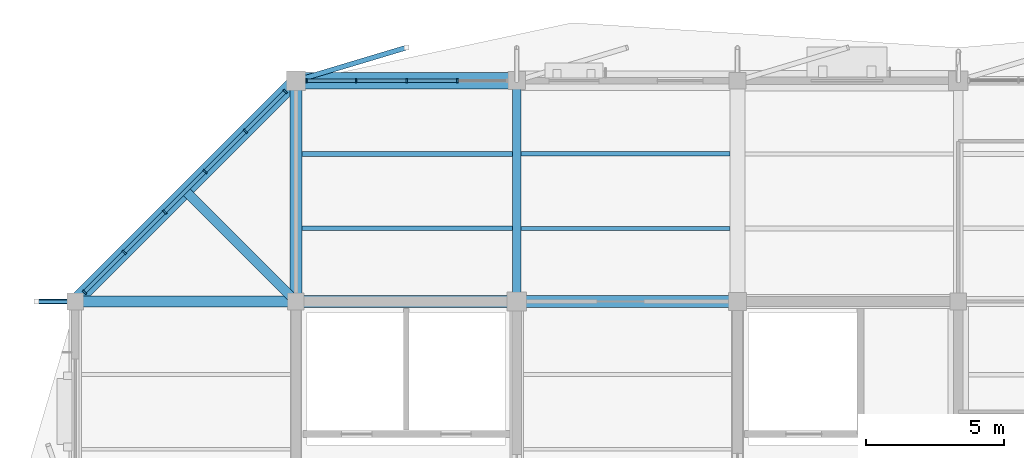
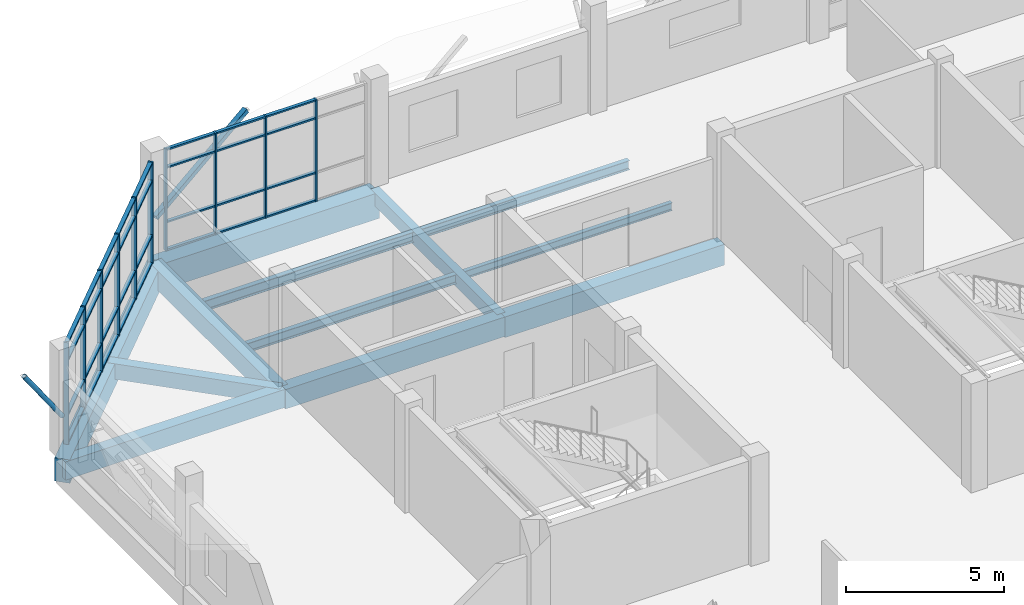
# One storey, part 31 of 84: 44 members, 12 beams, 2 elements without a shape of their own.
"""IFC4 building model written with IfcOpenShell, lengths in metres."""

from ifc_helpers import new_model, si_unit, direction, frame, origin, origin_2d, place, context, subcontext, project, spatial, rectangle, hollow_rectangle, hollow_circle, i_section, extrude, material, material_profile, profile_set, type_object, element, aggregate, save


model = new_model("IFC4")

# Units and contexts
model_context = context("Model", 3, precision=1e-05, world=origin(), true_north=direction((0.0, 1.0)))
body_context = subcontext(model_context, "Body", "Model", "MODEL_VIEW")
ifc_project = project(units=[si_unit("LENGTHUNIT", "METRE"), si_unit("AREAUNIT", "SQUARE_METRE"), si_unit("VOLUMEUNIT", "CUBIC_METRE"), si_unit("PLANEANGLEUNIT", "RADIAN"), si_unit("MASSUNIT", "GRAM", prefix="KILO")], contexts=[model_context])

# Site, building, storey
site_placement = place(None, origin())
site = spatial("IfcSite", under=ifc_project, at=site_placement, CompositionType="ELEMENT")
building_placement = place(site_placement, origin())
building = spatial("IfcBuilding", under=site, at=building_placement, Name="Tenunan Teduh Sports Hall", CompositionType="ELEMENT")
storey_placement = place(building_placement, frame((0.0, 0.0, 10.800048828125)))
storey = spatial("IfcBuildingStorey", under=building, at=storey_placement, Name="L02", CompositionType="ELEMENT", Elevation=10.800048828125)

# Beams
ifc_material_1 = material(Name="Concrete C40/50", Category="concrete")
ifc_material_profile_1 = material_profile(ifc_material_1, rectangle(XDim=0.300048828125, YDim=0.5, at=origin_2d()), Name="RCB 300x500")
ifc_profile_set_1 = profile_set([ifc_material_profile_1], Name="Concrete C40/50")
beam_type_1 = type_object("IfcBeamType", Name="BM-RC-300x500", PredefinedType="BEAM", material=ifc_profile_set_1)
beam_1_placement = place(storey_placement, frame((22.0, 110.0, -0.510009765625), z_axis=(0.0, 1.0, 0.0), x_axis=(-1.0, 0.0, 0.0)))
element("IfcBeam", 1, at=beam_1_placement, inside=storey, type_object=beam_type_1, Name="BM-B-01-L02-1592", PredefinedType="BEAM", context=body_context, shape_type="SweptSolid", body=[
    extrude(rectangle(XDim=0.300048828125, YDim=0.5, at=origin_2d()), origin(), (0.0, 0.0, 1.0), 8.0),
])
ifc_material_2 = material(Name="Concrete C40/50", Category="concrete")
ifc_material_profile_2 = material_profile(ifc_material_2, rectangle(XDim=0.35009765625, YDim=0.60009765625, at=origin_2d()), Name="RCB 350x600")
ifc_profile_set_2 = profile_set([ifc_material_profile_2], Name="Concrete C40/50")
beam_type_2 = type_object("IfcBeamType", Name="BM-RC-350x600", PredefinedType="BEAM", material=ifc_profile_set_2)
beam_2_placement = place(storey_placement, frame((14.0, 110.0, -0.56005859375), z_axis=(-0.707106781187, 0.707106781187, 0.0), x_axis=(-0.707106781187, -0.707106781187, 0.0)))
element("IfcBeam", 2, at=beam_2_placement, inside=storey, type_object=beam_type_2, Name="BM-B-04-L02-2224", PredefinedType="BEAM", context=body_context, shape_type="SweptSolid", body=[
    extrude(rectangle(XDim=0.35009765625, YDim=0.60009765625, at=origin_2d()), origin(), (0.0, 0.0, 1.0), 5.65673828125),
])
ifc_material_3 = material(Name="Concrete C40/50", Category="concrete")
ifc_material_profile_3 = material_profile(ifc_material_3, rectangle(XDim=0.39990234375, YDim=0.699951171875, at=origin_2d()), Name="RCB 400x700")
ifc_profile_set_3 = profile_set([ifc_material_profile_3], Name="Concrete C40/50")
beam_type_3 = type_object("IfcBeamType", Name="BM-RC-400x700", PredefinedType="BEAM", material=ifc_profile_set_3)
beam_3_placement = place(storey_placement, frame((6.0, 110.0, -0.610107421875), z_axis=(1.0, 0.0, 0.0), x_axis=(0.0, 1.0, 0.0)))
element("IfcBeam", 3, at=beam_3_placement, inside=storey, type_object=beam_type_3, Name="BM-B-08-L02-1541", PredefinedType="BEAM", context=body_context, shape_type="SweptSolid", body=[
    extrude(rectangle(XDim=0.39990234375, YDim=0.699951171875, at=origin_2d()), origin(), (0.0, 0.0, 1.0), 8.0),
])
ifc_material_4 = material(Name="Concrete C40/50", Category="concrete")
ifc_material_profile_4 = material_profile(ifc_material_4, rectangle(XDim=0.449951171875, YDim=0.75, at=origin_2d()), Name="RCB 450x750")
ifc_profile_set_4 = profile_set([ifc_material_profile_4], Name="Concrete C40/50")
beam_type_4 = type_object("IfcBeamType", Name="BM-RC-450x750", PredefinedType="BEAM", material=ifc_profile_set_4)
for number, where, z_axis, x_axis, name in (
    (4, (14.0, 110.0, -0.635009765625), (1.0, 0.0, 0.0), (0.0, 1.0, 0.0), "BM-B-11-L02-1542"),
    (5, (14.0, 110.0, -0.635009765625), (0.0, 1.0, 0.0), (-1.0, 0.0, 0.0), "BM-B-11-L02-1583"),
):
    element("IfcBeam", number, at=place(storey_placement, frame(where, z_axis=z_axis, x_axis=x_axis)), inside=storey, type_object=beam_type_4, Name=name, PredefinedType="BEAM", context=body_context, shape_type="SweptSolid", body=[
        extrude(rectangle(XDim=0.449951171875, YDim=0.75, at=origin_2d()), origin(), (0.0, 0.0, 1.0), 8.0),
    ])
ifc_material_5 = material(Name="Concrete C40/50", Category="concrete")
ifc_material_profile_5 = material_profile(ifc_material_5, rectangle(XDim=0.449951171875, YDim=0.800048828125, at=origin_2d()), Name="RCB 450x800")
ifc_profile_set_5 = profile_set([ifc_material_profile_5], Name="Concrete C40/50")
beam_type_5 = type_object("IfcBeamType", Name="BM-RC-450x800", PredefinedType="BEAM", material=ifc_profile_set_5)
beam_4_placement = place(storey_placement, frame((22.0, 110.0, -0.66015625), z_axis=(1.0, 0.0, 0.0), x_axis=(0.0, 1.0, 0.0)))
element("IfcBeam", 6, at=beam_4_placement, inside=storey, type_object=beam_type_5, Name="BM-B-12-L02-1543", PredefinedType="BEAM", context=body_context, shape_type="SweptSolid", body=[
    extrude(rectangle(XDim=0.449951171875, YDim=0.800048828125, at=origin_2d()), origin(), (0.0, 0.0, 1.0), 8.0),
])
ifc_material_6 = material(Name="Concrete C40/50", Category="concrete")
ifc_material_profile_6 = material_profile(ifc_material_6, rectangle(XDim=0.5, YDim=0.89990234375, at=origin_2d()), Name="RCB 500x900")
ifc_profile_set_6 = profile_set([ifc_material_profile_6], Name="Concrete C40/50")
beam_type_6 = type_object("IfcBeamType", Name="BM-RC-500x900", PredefinedType="BEAM", material=ifc_profile_set_6)
beam_5_placement = place(storey_placement, frame((6.0, 110.0, -0.7099609375), z_axis=(0.707106781187, 0.707106781187, 0.0), x_axis=(-0.707106781187, 0.707106781187, 0.0)))
element("IfcBeam", 7, at=beam_5_placement, inside=storey, type_object=beam_type_6, Name="BM-B-15-L02-0589", PredefinedType="BEAM", context=body_context, shape_type="SweptSolid", body=[
    extrude(rectangle(XDim=0.5, YDim=0.89990234375, at=origin_2d()), origin(), (0.0, 0.0, 1.0), 11.313720703125),
])
ifc_material_7 = material(Name="Concrete C40/50", Category="concrete")
ifc_material_profile_7 = material_profile(ifc_material_7, rectangle(XDim=0.60009765625, YDim=1.0, at=origin_2d()), Name="RCB 600x1000")
ifc_profile_set_7 = profile_set([ifc_material_profile_7], Name="Concrete C40/50")
beam_type_7 = type_object("IfcBeamType", Name="BM-RC-600x1000", PredefinedType="BEAM", material=ifc_profile_set_7)
beam_6_placement = place(storey_placement, frame((14.0, 118.0, -0.760009765625), z_axis=(1.0, 0.0, 0.0), x_axis=(0.0, 1.0, 0.0)))
element("IfcBeam", 8, at=beam_6_placement, inside=storey, type_object=beam_type_7, Name="BM-B-18-L02-1558", PredefinedType="BEAM", context=body_context, shape_type="SweptSolid", body=[
    extrude(rectangle(XDim=0.60009765625, YDim=1.0, at=origin_2d()), origin(), (0.0, 0.0, 1.0), 8.0),
])

# Curtain wall, members
ifc_material_8 = material(Name="Anodised aluminium", Category="aluminium")
curtain_wall_type = type_object("IfcCurtainWallType", Name="CW-UNIT-2", PredefinedType="NOTDEFINED", material=ifc_material_8)
curtain_wall_1_placement = place(storey_placement, origin())
curtain_wall_1 = element("IfcCurtainWall", 9, at=curtain_wall_1_placement, inside=storey, type_object=curtain_wall_type, Name="CW-CWM-150-L02-215", PredefinedType="NOTDEFINED")
ifc_material_9 = material(Name="Anodised aluminium", Category="aluminium")
ifc_material_profile_8 = material_profile(ifc_material_9, rectangle(XDim=0.06005859375, YDim=0.14990234375, at=origin_2d()), Name="CWM 60x150")
ifc_profile_set_8 = profile_set([ifc_material_profile_8], Name="Anodised aluminium")
member_type_1 = type_object("IfcMemberType", Name="CWM-150", PredefinedType="MULLION", material=ifc_profile_set_8)
member_1_placement = place(storey_placement, frame((14.3798828125, 118.0, 0.0), z_axis=(0.0, 0.0, 1.0), x_axis=(1.0, 0.0, 0.0)))
member_1 = element("IfcMember", 10, at=member_1_placement, type_object=member_type_1, Name="CW-02 mullion 1", PredefinedType="MULLION", context=body_context, shape_type="SweptSolid", body=[
    extrude(rectangle(XDim=0.06005859375, YDim=0.14990234375, at=origin_2d()), origin(), (0.0, 0.0, 1.0), 3.919921875),
])
member_2_placement = place(storey_placement, frame((16.18115234375, 118.0, 0.0), z_axis=(0.0, 0.0, 1.0), x_axis=(1.0, 0.0, 0.0)))
member_2 = element("IfcMember", 11, at=member_2_placement, type_object=member_type_1, Name="CW-02 mullion 2", PredefinedType="MULLION", context=body_context, shape_type="SweptSolid", body=[
    extrude(rectangle(XDim=0.06005859375, YDim=0.14990234375, at=origin_2d()), origin(), (0.0, 0.0, 1.0), 3.919921875),
])
member_3_placement = place(storey_placement, frame((18.012451171875, 118.0, 0.0), z_axis=(0.0, 0.0, 1.0), x_axis=(1.0, 0.0, 0.0)))
member_3 = element("IfcMember", 12, at=member_3_placement, type_object=member_type_1, Name="CW-02 mullion 3", PredefinedType="MULLION", context=body_context, shape_type="SweptSolid", body=[
    extrude(rectangle(XDim=0.06005859375, YDim=0.14990234375, at=origin_2d()), origin(), (0.0, 0.0, 1.0), 3.919921875),
])
member_4_placement = place(storey_placement, frame((19.84375, 118.0, 0.0), z_axis=(0.0, 0.0, 1.0), x_axis=(1.0, 0.0, 0.0)))
member_4 = element("IfcMember", 13, at=member_4_placement, type_object=member_type_1, Name="CW-02 mullion 4", PredefinedType="MULLION", context=body_context, shape_type="SweptSolid", body=[
    extrude(rectangle(XDim=0.06005859375, YDim=0.14990234375, at=origin_2d()), origin(), (0.0, 0.0, 1.0), 3.919921875),
])

curtain_wall_2_placement = place(storey_placement, origin())
curtain_wall_2 = element("IfcCurtainWall", 14, at=curtain_wall_2_placement, inside=storey, type_object=curtain_wall_type, Name="CW-CWM-175-L02-218", PredefinedType="NOTDEFINED")
ifc_material_10 = material(Name="Anodised aluminium", Category="aluminium")
ifc_material_profile_9 = material_profile(ifc_material_10, rectangle(XDim=0.06494140625, YDim=0.175048828125, at=origin_2d()), Name="CWM 65x175")
ifc_profile_set_9 = profile_set([ifc_material_profile_9], Name="Anodised aluminium")
member_type_2 = type_object("IfcMemberType", Name="CWM-175", PredefinedType="MULLION", material=ifc_profile_set_9)
member_5_placement = place(storey_placement, frame((6.337890625, 110.337890625, 0.0), z_axis=(0.0, 0.0, 1.0), x_axis=(0.707106781187, 0.707106781187, 0.0)))
member_5 = element("IfcMember", 15, at=member_5_placement, type_object=member_type_2, Name="CW-02 mullion 1", PredefinedType="MULLION", context=body_context, shape_type="SweptSolid", body=[
    extrude(rectangle(XDim=0.06494140625, YDim=0.175048828125, at=origin_2d()), origin(), (0.0, 0.0, 1.0), 3.919921875),
])
member_6_placement = place(storey_placement, frame((7.778564453125, 111.778564453125, 0.0), z_axis=(0.0, 0.0, 1.0), x_axis=(0.707106781187, 0.707106781187, 0.0)))
member_6 = element("IfcMember", 16, at=member_6_placement, type_object=member_type_2, Name="CW-02 mullion 2", PredefinedType="MULLION", context=body_context, shape_type="SweptSolid", body=[
    extrude(rectangle(XDim=0.06494140625, YDim=0.175048828125, at=origin_2d()), origin(), (0.0, 0.0, 1.0), 3.919921875),
])
member_7_placement = place(storey_placement, frame((9.241943359375, 113.241943359375, 0.0), z_axis=(0.0, 0.0, 1.0), x_axis=(0.707106781187, 0.707106781187, 0.0)))
member_7 = element("IfcMember", 17, at=member_7_placement, type_object=member_type_2, Name="CW-02 mullion 3", PredefinedType="MULLION", context=body_context, shape_type="SweptSolid", body=[
    extrude(rectangle(XDim=0.06494140625, YDim=0.175048828125, at=origin_2d()), origin(), (0.0, 0.0, 1.0), 3.919921875),
])
member_8_placement = place(storey_placement, frame((10.70556640625, 114.70556640625, 0.0), z_axis=(0.0, 0.0, 1.0), x_axis=(0.707106781187, 0.707106781187, 0.0)))
member_8 = element("IfcMember", 18, at=member_8_placement, type_object=member_type_2, Name="CW-02 mullion 4", PredefinedType="MULLION", context=body_context, shape_type="SweptSolid", body=[
    extrude(rectangle(XDim=0.06494140625, YDim=0.175048828125, at=origin_2d()), origin(), (0.0, 0.0, 1.0), 3.919921875),
])
member_9_placement = place(storey_placement, frame((12.1689453125, 116.1689453125, 0.0), z_axis=(0.0, 0.0, 1.0), x_axis=(0.707106781187, 0.707106781187, 0.0)))
member_9 = element("IfcMember", 19, at=member_9_placement, type_object=member_type_2, Name="CW-02 mullion 5", PredefinedType="MULLION", context=body_context, shape_type="SweptSolid", body=[
    extrude(rectangle(XDim=0.06494140625, YDim=0.175048828125, at=origin_2d()), origin(), (0.0, 0.0, 1.0), 3.919921875),
])
member_10_placement = place(storey_placement, frame((13.609619140625, 117.609619140625, 0.0), z_axis=(0.0, 0.0, 1.0), x_axis=(0.707106781187, 0.707106781187, 0.0)))
member_10 = element("IfcMember", 20, at=member_10_placement, type_object=member_type_2, Name="CW-02 mullion 6", PredefinedType="MULLION", context=body_context, shape_type="SweptSolid", body=[
    extrude(rectangle(XDim=0.06494140625, YDim=0.175048828125, at=origin_2d()), origin(), (0.0, 0.0, 1.0), 3.919921875),
])

# Member
ifc_material_11 = material(Name="Anodised aluminium", Category="aluminium")
ifc_material_profile_10 = material_profile(ifc_material_11, rectangle(XDim=0.06005859375, YDim=0.1201171875, at=origin_2d()), Name="CWT 60x120")
ifc_profile_set_10 = profile_set([ifc_material_profile_10], Name="Anodised aluminium")
member_type_3 = type_object("IfcMemberType", Name="CWT-125", PredefinedType="USERDEFINED", material=ifc_profile_set_10)
member_11_placement = place(storey_placement, frame((14.409912109375, 118.0, 0.030029296875), z_axis=(1.0, 0.0, 0.0), x_axis=(0.0, 0.0, 1.0)))
member_11 = element("IfcMember", 21, at=member_11_placement, type_object=member_type_3, Name="CW-02 transom 1.1", ObjectType="TRANSOM", PredefinedType="USERDEFINED", context=body_context, shape_type="SweptSolid", body=[
    extrude(rectangle(XDim=0.06005859375, YDim=0.1201171875, at=origin_2d()), origin(), (0.0, 0.0, 1.0), 1.741455078125),
])

member_12_placement = place(storey_placement, frame((14.409912109375, 118.0, 1.099853515625), z_axis=(1.0, 0.0, 0.0), x_axis=(0.0, 0.0, 1.0)))
member_12 = element("IfcMember", 22, at=member_12_placement, type_object=member_type_3, Name="CW-02 transom 1.2", ObjectType="TRANSOM", PredefinedType="USERDEFINED", context=body_context, shape_type="SweptSolid", body=[
    extrude(rectangle(XDim=0.06005859375, YDim=0.1201171875, at=origin_2d()), origin(), (0.0, 0.0, 1.0), 1.741455078125),
])

member_13_placement = place(storey_placement, frame((14.409912109375, 118.0, 3.199951171875), z_axis=(1.0, 0.0, 0.0), x_axis=(0.0, 0.0, 1.0)))
member_13 = element("IfcMember", 23, at=member_13_placement, type_object=member_type_3, Name="CW-02 transom 1.3", ObjectType="TRANSOM", PredefinedType="USERDEFINED", context=body_context, shape_type="SweptSolid", body=[
    extrude(rectangle(XDim=0.06005859375, YDim=0.1201171875, at=origin_2d()), origin(), (0.0, 0.0, 1.0), 1.741455078125),
])

member_14_placement = place(storey_placement, frame((14.409912109375, 118.0, 3.889892578125), z_axis=(1.0, 0.0, 0.0), x_axis=(0.0, 0.0, 1.0)))
member_14 = element("IfcMember", 24, at=member_14_placement, type_object=member_type_3, Name="CW-02 transom 1.4", ObjectType="TRANSOM", PredefinedType="USERDEFINED", context=body_context, shape_type="SweptSolid", body=[
    extrude(rectangle(XDim=0.06005859375, YDim=0.1201171875, at=origin_2d()), origin(), (0.0, 0.0, 1.0), 1.741455078125),
])

member_15_placement = place(storey_placement, frame((16.211181640625, 118.0, 0.030029296875), z_axis=(1.0, 0.0, 0.0), x_axis=(0.0, 0.0, 1.0)))
member_15 = element("IfcMember", 25, at=member_15_placement, type_object=member_type_3, Name="CW-02 transom 2.1", ObjectType="TRANSOM", PredefinedType="USERDEFINED", context=body_context, shape_type="SweptSolid", body=[
    extrude(rectangle(XDim=0.06005859375, YDim=0.1201171875, at=origin_2d()), origin(), (0.0, 0.0, 1.0), 1.771240234375),
])

member_16_placement = place(storey_placement, frame((16.211181640625, 118.0, 1.099853515625), z_axis=(1.0, 0.0, 0.0), x_axis=(0.0, 0.0, 1.0)))
member_16 = element("IfcMember", 26, at=member_16_placement, type_object=member_type_3, Name="CW-02 transom 2.2", ObjectType="TRANSOM", PredefinedType="USERDEFINED", context=body_context, shape_type="SweptSolid", body=[
    extrude(rectangle(XDim=0.06005859375, YDim=0.1201171875, at=origin_2d()), origin(), (0.0, 0.0, 1.0), 1.771240234375),
])

member_17_placement = place(storey_placement, frame((16.211181640625, 118.0, 3.199951171875), z_axis=(1.0, 0.0, 0.0), x_axis=(0.0, 0.0, 1.0)))
member_17 = element("IfcMember", 27, at=member_17_placement, type_object=member_type_3, Name="CW-02 transom 2.3", ObjectType="TRANSOM", PredefinedType="USERDEFINED", context=body_context, shape_type="SweptSolid", body=[
    extrude(rectangle(XDim=0.06005859375, YDim=0.1201171875, at=origin_2d()), origin(), (0.0, 0.0, 1.0), 1.771240234375),
])

member_18_placement = place(storey_placement, frame((16.211181640625, 118.0, 3.889892578125), z_axis=(1.0, 0.0, 0.0), x_axis=(0.0, 0.0, 1.0)))
member_18 = element("IfcMember", 28, at=member_18_placement, type_object=member_type_3, Name="CW-02 transom 2.4", ObjectType="TRANSOM", PredefinedType="USERDEFINED", context=body_context, shape_type="SweptSolid", body=[
    extrude(rectangle(XDim=0.06005859375, YDim=0.1201171875, at=origin_2d()), origin(), (0.0, 0.0, 1.0), 1.771240234375),
])

member_19_placement = place(storey_placement, frame((18.04248046875, 118.0, 0.030029296875), z_axis=(1.0, 0.0, 0.0), x_axis=(0.0, 0.0, 1.0)))
member_19 = element("IfcMember", 29, at=member_19_placement, type_object=member_type_3, Name="CW-02 transom 3.1", ObjectType="TRANSOM", PredefinedType="USERDEFINED", context=body_context, shape_type="SweptSolid", body=[
    extrude(rectangle(XDim=0.06005859375, YDim=0.1201171875, at=origin_2d()), origin(), (0.0, 0.0, 1.0), 1.771240234375),
])

member_20_placement = place(storey_placement, frame((18.04248046875, 118.0, 1.099853515625), z_axis=(1.0, 0.0, 0.0), x_axis=(0.0, 0.0, 1.0)))
member_20 = element("IfcMember", 30, at=member_20_placement, type_object=member_type_3, Name="CW-02 transom 3.2", ObjectType="TRANSOM", PredefinedType="USERDEFINED", context=body_context, shape_type="SweptSolid", body=[
    extrude(rectangle(XDim=0.06005859375, YDim=0.1201171875, at=origin_2d()), origin(), (0.0, 0.0, 1.0), 1.771240234375),
])

member_21_placement = place(storey_placement, frame((18.04248046875, 118.0, 3.199951171875), z_axis=(1.0, 0.0, 0.0), x_axis=(0.0, 0.0, 1.0)))
member_21 = element("IfcMember", 31, at=member_21_placement, type_object=member_type_3, Name="CW-02 transom 3.3", ObjectType="TRANSOM", PredefinedType="USERDEFINED", context=body_context, shape_type="SweptSolid", body=[
    extrude(rectangle(XDim=0.06005859375, YDim=0.1201171875, at=origin_2d()), origin(), (0.0, 0.0, 1.0), 1.771240234375),
])

member_22_placement = place(storey_placement, frame((18.04248046875, 118.0, 3.889892578125), z_axis=(1.0, 0.0, 0.0), x_axis=(0.0, 0.0, 1.0)))
member_22 = element("IfcMember", 32, at=member_22_placement, type_object=member_type_3, Name="CW-02 transom 3.4", ObjectType="TRANSOM", PredefinedType="USERDEFINED", context=body_context, shape_type="SweptSolid", body=[
    extrude(rectangle(XDim=0.06005859375, YDim=0.1201171875, at=origin_2d()), origin(), (0.0, 0.0, 1.0), 1.771240234375),
])

aggregate(curtain_wall_1, [member_1, member_2, member_3, member_4, member_11, member_12, member_13, member_14, member_15, member_16, member_17, member_18, member_19, member_20, member_21, member_22])

ifc_material_12 = material(Name="Anodised aluminium", Category="aluminium")
ifc_material_profile_11 = material_profile(ifc_material_12, rectangle(XDim=0.06494140625, YDim=0.139892578125, at=origin_2d()), Name="CWT 65x140")
ifc_profile_set_11 = profile_set([ifc_material_profile_11], Name="Anodised aluminium")
member_type_4 = type_object("IfcMemberType", Name="CWT-150", PredefinedType="USERDEFINED", material=ifc_profile_set_11)
member_23_placement = place(storey_placement, frame((6.361083984375, 110.361083984375, 0.032470703125), z_axis=(0.707106781187, 0.707106781187, 0.0), x_axis=(0.0, 0.0, 1.0)))
member_23 = element("IfcMember", 33, at=member_23_placement, type_object=member_type_4, Name="CW-02 transom 1.1", ObjectType="TRANSOM", PredefinedType="USERDEFINED", context=body_context, shape_type="SweptSolid", body=[
    extrude(rectangle(XDim=0.06494140625, YDim=0.139892578125, at=origin_2d()), origin(), (0.0, 0.0, 1.0), 1.97216796875),
])

member_24_placement = place(storey_placement, frame((6.361083984375, 110.361083984375, 1.099853515625), z_axis=(0.707106781187, 0.707106781187, 0.0), x_axis=(0.0, 0.0, 1.0)))
member_24 = element("IfcMember", 34, at=member_24_placement, type_object=member_type_4, Name="CW-02 transom 1.2", ObjectType="TRANSOM", PredefinedType="USERDEFINED", context=body_context, shape_type="SweptSolid", body=[
    extrude(rectangle(XDim=0.06494140625, YDim=0.139892578125, at=origin_2d()), origin(), (0.0, 0.0, 1.0), 1.97216796875),
])

member_25_placement = place(storey_placement, frame((6.361083984375, 110.361083984375, 3.199951171875), z_axis=(0.707106781187, 0.707106781187, 0.0), x_axis=(0.0, 0.0, 1.0)))
member_25 = element("IfcMember", 35, at=member_25_placement, type_object=member_type_4, Name="CW-02 transom 1.3", ObjectType="TRANSOM", PredefinedType="USERDEFINED", context=body_context, shape_type="SweptSolid", body=[
    extrude(rectangle(XDim=0.06494140625, YDim=0.139892578125, at=origin_2d()), origin(), (0.0, 0.0, 1.0), 1.97216796875),
])

member_26_placement = place(storey_placement, frame((6.361083984375, 110.361083984375, 3.887451171875), z_axis=(0.707106781187, 0.707106781187, 0.0), x_axis=(0.0, 0.0, 1.0)))
member_26 = element("IfcMember", 36, at=member_26_placement, type_object=member_type_4, Name="CW-02 transom 1.4", ObjectType="TRANSOM", PredefinedType="USERDEFINED", context=body_context, shape_type="SweptSolid", body=[
    extrude(rectangle(XDim=0.06494140625, YDim=0.139892578125, at=origin_2d()), origin(), (0.0, 0.0, 1.0), 1.97216796875),
])

member_27_placement = place(storey_placement, frame((7.801513671875, 111.801513671875, 0.032470703125), z_axis=(0.707106781187, 0.707106781187, 0.0), x_axis=(0.0, 0.0, 1.0)))
member_27 = element("IfcMember", 37, at=member_27_placement, type_object=member_type_4, Name="CW-02 transom 2.1", ObjectType="TRANSOM", PredefinedType="USERDEFINED", context=body_context, shape_type="SweptSolid", body=[
    extrude(rectangle(XDim=0.06494140625, YDim=0.139892578125, at=origin_2d()), origin(), (0.0, 0.0, 1.0), 2.004638671875),
])

member_28_placement = place(storey_placement, frame((7.801513671875, 111.801513671875, 1.099853515625), z_axis=(0.707106781187, 0.707106781187, 0.0), x_axis=(0.0, 0.0, 1.0)))
member_28 = element("IfcMember", 38, at=member_28_placement, type_object=member_type_4, Name="CW-02 transom 2.2", ObjectType="TRANSOM", PredefinedType="USERDEFINED", context=body_context, shape_type="SweptSolid", body=[
    extrude(rectangle(XDim=0.06494140625, YDim=0.139892578125, at=origin_2d()), origin(), (0.0, 0.0, 1.0), 2.004638671875),
])

member_29_placement = place(storey_placement, frame((7.801513671875, 111.801513671875, 3.199951171875), z_axis=(0.707106781187, 0.707106781187, 0.0), x_axis=(0.0, 0.0, 1.0)))
member_29 = element("IfcMember", 39, at=member_29_placement, type_object=member_type_4, Name="CW-02 transom 2.3", ObjectType="TRANSOM", PredefinedType="USERDEFINED", context=body_context, shape_type="SweptSolid", body=[
    extrude(rectangle(XDim=0.06494140625, YDim=0.139892578125, at=origin_2d()), origin(), (0.0, 0.0, 1.0), 2.004638671875),
])

member_30_placement = place(storey_placement, frame((7.801513671875, 111.801513671875, 3.887451171875), z_axis=(0.707106781187, 0.707106781187, 0.0), x_axis=(0.0, 0.0, 1.0)))
member_30 = element("IfcMember", 40, at=member_30_placement, type_object=member_type_4, Name="CW-02 transom 2.4", ObjectType="TRANSOM", PredefinedType="USERDEFINED", context=body_context, shape_type="SweptSolid", body=[
    extrude(rectangle(XDim=0.06494140625, YDim=0.139892578125, at=origin_2d()), origin(), (0.0, 0.0, 1.0), 2.004638671875),
])

member_31_placement = place(storey_placement, frame((9.264892578125, 113.264892578125, 0.032470703125), z_axis=(0.707106781187, 0.707106781187, 0.0), x_axis=(0.0, 0.0, 1.0)))
member_31 = element("IfcMember", 41, at=member_31_placement, type_object=member_type_4, Name="CW-02 transom 3.1", ObjectType="TRANSOM", PredefinedType="USERDEFINED", context=body_context, shape_type="SweptSolid", body=[
    extrude(rectangle(XDim=0.06494140625, YDim=0.139892578125, at=origin_2d()), origin(), (0.0, 0.0, 1.0), 2.0048828125),
])

member_32_placement = place(storey_placement, frame((9.264892578125, 113.264892578125, 1.099853515625), z_axis=(0.707106781187, 0.707106781187, 0.0), x_axis=(0.0, 0.0, 1.0)))
member_32 = element("IfcMember", 42, at=member_32_placement, type_object=member_type_4, Name="CW-02 transom 3.2", ObjectType="TRANSOM", PredefinedType="USERDEFINED", context=body_context, shape_type="SweptSolid", body=[
    extrude(rectangle(XDim=0.06494140625, YDim=0.139892578125, at=origin_2d()), origin(), (0.0, 0.0, 1.0), 2.0048828125),
])

member_33_placement = place(storey_placement, frame((9.264892578125, 113.264892578125, 3.199951171875), z_axis=(0.707106781187, 0.707106781187, 0.0), x_axis=(0.0, 0.0, 1.0)))
member_33 = element("IfcMember", 43, at=member_33_placement, type_object=member_type_4, Name="CW-02 transom 3.3", ObjectType="TRANSOM", PredefinedType="USERDEFINED", context=body_context, shape_type="SweptSolid", body=[
    extrude(rectangle(XDim=0.06494140625, YDim=0.139892578125, at=origin_2d()), origin(), (0.0, 0.0, 1.0), 2.0048828125),
])

member_34_placement = place(storey_placement, frame((9.264892578125, 113.264892578125, 3.887451171875), z_axis=(0.707106781187, 0.707106781187, 0.0), x_axis=(0.0, 0.0, 1.0)))
member_34 = element("IfcMember", 44, at=member_34_placement, type_object=member_type_4, Name="CW-02 transom 3.4", ObjectType="TRANSOM", PredefinedType="USERDEFINED", context=body_context, shape_type="SweptSolid", body=[
    extrude(rectangle(XDim=0.06494140625, YDim=0.139892578125, at=origin_2d()), origin(), (0.0, 0.0, 1.0), 2.0048828125),
])

member_35_placement = place(storey_placement, frame((10.728515625, 114.728515625, 0.032470703125), z_axis=(0.707106781187, 0.707106781187, 0.0), x_axis=(0.0, 0.0, 1.0)))
member_35 = element("IfcMember", 45, at=member_35_placement, type_object=member_type_4, Name="CW-02 transom 4.1", ObjectType="TRANSOM", PredefinedType="USERDEFINED", context=body_context, shape_type="SweptSolid", body=[
    extrude(rectangle(XDim=0.06494140625, YDim=0.139892578125, at=origin_2d()), origin(), (0.0, 0.0, 1.0), 2.004638671875),
])

member_36_placement = place(storey_placement, frame((10.728515625, 114.728515625, 1.099853515625), z_axis=(0.707106781187, 0.707106781187, 0.0), x_axis=(0.0, 0.0, 1.0)))
member_36 = element("IfcMember", 46, at=member_36_placement, type_object=member_type_4, Name="CW-02 transom 4.2", ObjectType="TRANSOM", PredefinedType="USERDEFINED", context=body_context, shape_type="SweptSolid", body=[
    extrude(rectangle(XDim=0.06494140625, YDim=0.139892578125, at=origin_2d()), origin(), (0.0, 0.0, 1.0), 2.004638671875),
])

member_37_placement = place(storey_placement, frame((10.728515625, 114.728515625, 3.199951171875), z_axis=(0.707106781187, 0.707106781187, 0.0), x_axis=(0.0, 0.0, 1.0)))
member_37 = element("IfcMember", 47, at=member_37_placement, type_object=member_type_4, Name="CW-02 transom 4.3", ObjectType="TRANSOM", PredefinedType="USERDEFINED", context=body_context, shape_type="SweptSolid", body=[
    extrude(rectangle(XDim=0.06494140625, YDim=0.139892578125, at=origin_2d()), origin(), (0.0, 0.0, 1.0), 2.004638671875),
])

member_38_placement = place(storey_placement, frame((10.728515625, 114.728515625, 3.887451171875), z_axis=(0.707106781187, 0.707106781187, 0.0), x_axis=(0.0, 0.0, 1.0)))
member_38 = element("IfcMember", 48, at=member_38_placement, type_object=member_type_4, Name="CW-02 transom 4.4", ObjectType="TRANSOM", PredefinedType="USERDEFINED", context=body_context, shape_type="SweptSolid", body=[
    extrude(rectangle(XDim=0.06494140625, YDim=0.139892578125, at=origin_2d()), origin(), (0.0, 0.0, 1.0), 2.004638671875),
])

member_39_placement = place(storey_placement, frame((12.19189453125, 116.19189453125, 0.032470703125), z_axis=(0.707106781187, 0.707106781187, 0.0), x_axis=(0.0, 0.0, 1.0)))
member_39 = element("IfcMember", 49, at=member_39_placement, type_object=member_type_4, Name="CW-02 transom 5.1", ObjectType="TRANSOM", PredefinedType="USERDEFINED", context=body_context, shape_type="SweptSolid", body=[
    extrude(rectangle(XDim=0.06494140625, YDim=0.139892578125, at=origin_2d()), origin(), (0.0, 0.0, 1.0), 1.97216796875),
])

member_40_placement = place(storey_placement, frame((12.19189453125, 116.19189453125, 1.099853515625), z_axis=(0.707106781187, 0.707106781187, 0.0), x_axis=(0.0, 0.0, 1.0)))
member_40 = element("IfcMember", 50, at=member_40_placement, type_object=member_type_4, Name="CW-02 transom 5.2", ObjectType="TRANSOM", PredefinedType="USERDEFINED", context=body_context, shape_type="SweptSolid", body=[
    extrude(rectangle(XDim=0.06494140625, YDim=0.139892578125, at=origin_2d()), origin(), (0.0, 0.0, 1.0), 1.97216796875),
])

member_41_placement = place(storey_placement, frame((12.19189453125, 116.19189453125, 3.199951171875), z_axis=(0.707106781187, 0.707106781187, 0.0), x_axis=(0.0, 0.0, 1.0)))
member_41 = element("IfcMember", 51, at=member_41_placement, type_object=member_type_4, Name="CW-02 transom 5.3", ObjectType="TRANSOM", PredefinedType="USERDEFINED", context=body_context, shape_type="SweptSolid", body=[
    extrude(rectangle(XDim=0.06494140625, YDim=0.139892578125, at=origin_2d()), origin(), (0.0, 0.0, 1.0), 1.97216796875),
])

member_42_placement = place(storey_placement, frame((12.19189453125, 116.19189453125, 3.887451171875), z_axis=(0.707106781187, 0.707106781187, 0.0), x_axis=(0.0, 0.0, 1.0)))
member_42 = element("IfcMember", 52, at=member_42_placement, type_object=member_type_4, Name="CW-02 transom 5.4", ObjectType="TRANSOM", PredefinedType="USERDEFINED", context=body_context, shape_type="SweptSolid", body=[
    extrude(rectangle(XDim=0.06494140625, YDim=0.139892578125, at=origin_2d()), origin(), (0.0, 0.0, 1.0), 1.97216796875),
])

aggregate(curtain_wall_2, [member_5, member_6, member_7, member_8, member_9, member_10, member_23, member_24, member_25, member_26, member_27, member_28, member_29, member_30, member_31, member_32, member_33, member_34, member_35, member_36, member_37, member_38, member_39, member_40, member_41, member_42])

# Beams
ifc_material_13 = material(Name="Steel S355", Category="steel")
ifc_material_profile_12 = material_profile(ifc_material_13, i_section(OverallWidth=0.14990234375, OverallDepth=0.300048828125, WebThickness=0.007080078125, FlangeThickness=0.0107421875, FilletRadius=0.014892578125, at=origin_2d()), Name="IPE 300")
ifc_profile_set_12 = profile_set([ifc_material_profile_12], Name="Steel S355")
beam_type_8 = type_object("IfcBeamType", Name="JST-IPE300", PredefinedType="JOIST", material=ifc_profile_set_12)
beam_7_placement = place(storey_placement, frame((22.14990234375, 112.64990234375, -0.41015625), z_axis=(1.0, 0.0, 0.0), x_axis=(0.0, 1.0, 0.0)))
element("IfcBeam", 53, at=beam_7_placement, inside=storey, type_object=beam_type_8, Name="BM-J-04-L02-1706", PredefinedType="JOIST", context=body_context, shape_type="SweptSolid", body=[
    extrude(i_section(OverallWidth=0.14990234375, OverallDepth=0.300048828125, WebThickness=0.007080078125, FlangeThickness=0.0107421875, FilletRadius=0.014892578125, at=origin_2d()), origin(), (0.0, 0.0, 1.0), 7.5751953125),
])
ifc_material_14 = material(Name="Steel S355", Category="steel")
ifc_material_profile_13 = material_profile(ifc_material_14, i_section(OverallWidth=0.169921875, OverallDepth=0.360107421875, WebThickness=0.008056640625, FlangeThickness=0.0126953125, FilletRadius=0.01806640625, at=origin_2d()), Name="IPE 360")
ifc_profile_set_13 = profile_set([ifc_material_profile_13], Name="Steel S355")
beam_type_9 = type_object("IfcBeamType", Name="JST-IPE360", PredefinedType="JOIST", material=ifc_profile_set_13)
beam_8_placement = place(storey_placement, frame((14.22509765625, 112.64990234375, -0.43994140625), z_axis=(1.0, 0.0, 0.0), x_axis=(0.0, 1.0, 0.0)))
element("IfcBeam", 54, at=beam_8_placement, inside=storey, type_object=beam_type_9, Name="BM-J-05-L02-1696", PredefinedType="JOIST", context=body_context, shape_type="SweptSolid", body=[
    extrude(i_section(OverallWidth=0.169921875, OverallDepth=0.360107421875, WebThickness=0.008056640625, FlangeThickness=0.0126953125, FilletRadius=0.01806640625, at=origin_2d()), origin(), (0.0, 0.0, 1.0), 7.625),
])
beam_9_placement = place(storey_placement, frame((22.14990234375, 115.35009765625, -0.43994140625), z_axis=(1.0, 0.0, 0.0), x_axis=(0.0, 1.0, 0.0)))
element("IfcBeam", 55, at=beam_9_placement, inside=storey, type_object=beam_type_9, Name="BM-J-05-L02-1707", PredefinedType="JOIST", context=body_context, shape_type="SweptSolid", body=[
    extrude(i_section(OverallWidth=0.169921875, OverallDepth=0.360107421875, WebThickness=0.008056640625, FlangeThickness=0.0126953125, FilletRadius=0.01806640625, at=origin_2d()), origin(), (0.0, 0.0, 1.0), 7.5751953125),
])
ifc_material_15 = material(Name="Steel S355", Category="steel")
ifc_material_profile_14 = material_profile(ifc_material_15, i_section(OverallWidth=0.179931640625, OverallDepth=0.39990234375, WebThickness=0.008544921875, FlangeThickness=0.013427734375, FilletRadius=0.02099609375, at=origin_2d()), Name="IPE 400")
ifc_profile_set_14 = profile_set([ifc_material_profile_14], Name="Steel S355")
beam_type_10 = type_object("IfcBeamType", Name="JST-IPE400", PredefinedType="JOIST", material=ifc_profile_set_14)
beam_10_placement = place(storey_placement, frame((14.22509765625, 115.35009765625, -0.4599609375), z_axis=(1.0, 0.0, 0.0), x_axis=(0.0, 1.0, 0.0)))
element("IfcBeam", 56, at=beam_10_placement, inside=storey, type_object=beam_type_10, Name="BM-J-06-L02-1697", PredefinedType="JOIST", context=body_context, shape_type="SweptSolid", body=[
    extrude(i_section(OverallWidth=0.179931640625, OverallDepth=0.39990234375, WebThickness=0.008544921875, FlangeThickness=0.013427734375, FilletRadius=0.02099609375, at=origin_2d()), origin(), (0.0, 0.0, 1.0), 7.625),
])

# Members
ifc_material_16 = material(Name="Steel S355", Category="steel")
ifc_material_profile_15 = material_profile(ifc_material_16, hollow_circle(Radius=0.084228515625, WallThickness=0.008056640625, at=origin_2d()), Name="CHS 168.3x8.0")
ifc_profile_set_15 = profile_set([ifc_material_profile_15], Name="Steel S355")
member_type_5 = type_object("IfcMemberType", Name="MEM-BR-CHS168", PredefinedType="BRACE", material=ifc_profile_set_15)
member_43_placement = place(storey_placement, frame((6.0, 110.0, 1.39990234375), z_axis=(-0.56960249662, 0.0, 0.821920309911), x_axis=(0.0, -1.0, 0.0)))
element("IfcMember", 57, at=member_43_placement, inside=storey, type_object=member_type_5, Name="MEM-GD-04-L02-1269", PredefinedType="BRACE", context=body_context, shape_type="SweptSolid", body=[
    extrude(hollow_circle(Radius=0.084228515625, WallThickness=0.008056640625, at=origin_2d()), origin(), (0.0, 0.0, 1.0), 2.457763671875),
])
ifc_material_17 = material(Name="Steel S355", Category="steel")
ifc_material_profile_16 = material_profile(ifc_material_17, hollow_rectangle(XDim=0.179931640625, YDim=0.179931640625, WallThickness=0.010009765625, at=origin_2d()), Name="SHS 180x180x10.0")
ifc_profile_set_16 = profile_set([ifc_material_profile_16], Name="Steel S355")
member_type_6 = type_object("IfcMemberType", Name="MEM-ST-SHS180", PredefinedType="STRUT", material=ifc_profile_set_16)
member_44_placement = place(storey_placement, frame((14.0, 118.0, 1.39990234375), z_axis=(0.862253980499, 0.258665668588, 0.435442470376), x_axis=(-0.287337158709, 0.957829503213, 0.0)))
element("IfcMember", 58, at=member_44_placement, inside=storey, type_object=member_type_6, Name="MEM-VS-03-L02-1240", PredefinedType="STRUT", context=body_context, shape_type="SweptSolid", body=[
    extrude(hollow_rectangle(XDim=0.179931640625, YDim=0.179931640625, WallThickness=0.010009765625, at=origin_2d()), origin(), (0.0, 0.0, 1.0), 4.638916015625),
])

save(model, "model.ifc")
